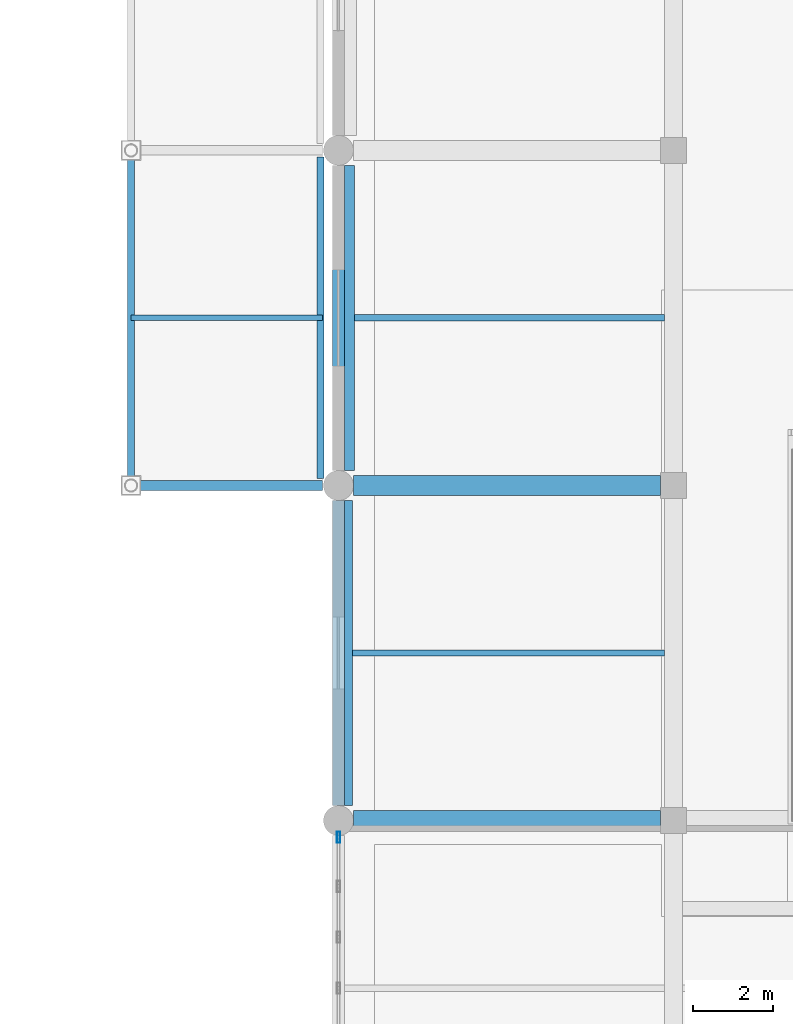
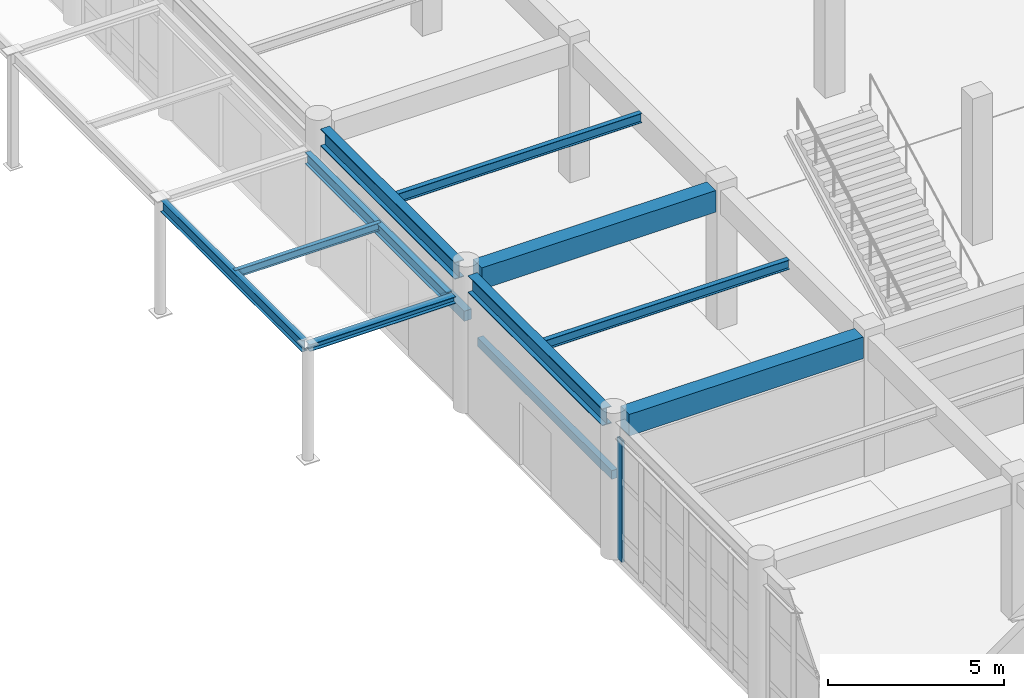
# One storey, part 20 of 80: 10 beams, 3 members, 1 element without a shape of its own.
"""IFC4 building model written with IfcOpenShell, lengths in metres."""

from ifc_helpers import new_model, si_unit, direction, frame, origin, origin_2d, place, context, subcontext, project, spatial, rectangle, hollow_rectangle, i_section, extrude, material, layer, layer_set, material_profile, profile_set, type_object, element, aggregate, save


model = new_model("IFC4")

# Units and contexts
model_context = context("Model", 3, precision=1e-05, world=origin(), true_north=direction((0.0, 1.0)))
body_context = subcontext(model_context, "Body", "Model", "MODEL_VIEW")
ifc_project = project(units=[si_unit("LENGTHUNIT", "METRE"), si_unit("AREAUNIT", "SQUARE_METRE"), si_unit("VOLUMEUNIT", "CUBIC_METRE"), si_unit("PLANEANGLEUNIT", "RADIAN"), si_unit("MASSUNIT", "GRAM", prefix="KILO")], contexts=[model_context])

# Site, building, storey
site_placement = place(None, origin())
site = spatial("IfcSite", under=ifc_project, at=site_placement, CompositionType="ELEMENT")
building_placement = place(site_placement, origin())
building = spatial("IfcBuilding", under=site, at=building_placement, Name="Krzemoval Escarpment Law Courts", CompositionType="ELEMENT")
storey_placement = place(building_placement, origin())
storey = spatial("IfcBuildingStorey", under=building, at=storey_placement, Name="L00", CompositionType="ELEMENT", Elevation=0.0)

# Beams
ifc_material_1 = material(Name="Concrete C40/50", Category="concrete")
ifc_material_profile_1 = material_profile(ifc_material_1, rectangle(XDim=0.5, YDim=0.75, at=origin_2d()), Name="RCB 500x750")
ifc_profile_set_1 = profile_set([ifc_material_profile_1], Name="Concrete C40/50")
beam_type_1 = type_object("IfcBeamType", Name="BM-RC-500x750", PredefinedType="BEAM", material=ifc_profile_set_1)
for number, where, z_axis, x_axis, name in (
    (1, (8.77490234375, 49.199951171875, 4.445068359375), (1.0, 0.0, 0.0), (0.0, 1.0, 0.0), "Beam FG-L00-0687"),
    (2, (8.77490234375, 57.60009765625, 4.445068359375), (1.0, 0.0, 0.0), (0.0, 1.0, 0.0), "Beam FG-L00-0697"),
):
    element("IfcBeam", number, at=place(storey_placement, frame(where, z_axis=z_axis, x_axis=x_axis)), inside=storey, type_object=beam_type_1, Name=name, PredefinedType="BEAM", context=body_context, shape_type="SweptSolid", body=[
        extrude(rectangle(XDim=0.5, YDim=0.75, at=origin_2d()), origin(), (0.0, 0.0, 1.0), 7.7001953125),
    ])
ifc_material_2 = material(Name="Steel S355", Category="steel")
ifc_material_profile_2 = material_profile(ifc_material_2, i_section(OverallWidth=0.179931640625, OverallDepth=0.39990234375, WebThickness=0.008544921875, FlangeThickness=0.013427734375, at=origin_2d()), Name="IPE 400")
ifc_profile_set_2 = profile_set([ifc_material_profile_2], Name="Steel S355")
beam_type_2 = type_object("IfcBeamType", Name="BM-S355-IPE400", PredefinedType="BEAM", material=ifc_profile_set_2)
for number, where, z_axis, x_axis, name in (
    (3, (3.199951171875, 57.77001953125, 3.820068359375), (0.0, 1.0, 0.0), (-1.0, 0.0, 0.0), "Canopy Edge Beam CB-2846"),
    (4, (7.949951171875, 57.77001953125, 3.820068359375), (0.0, 1.0, 0.0), (-1.0, 0.0, 0.0), "Canopy Ledger Beam CB-2847"),
):
    element("IfcBeam", number, at=place(storey_placement, frame(where, z_axis=z_axis, x_axis=x_axis)), inside=storey, type_object=beam_type_2, Name=name, PredefinedType="BEAM", context=body_context, shape_type="SweptSolid", body=[
        extrude(i_section(OverallWidth=0.179931640625, OverallDepth=0.39990234375, WebThickness=0.008544921875, FlangeThickness=0.013427734375, at=origin_2d()), origin(), (0.0, 0.0, 1.0), 8.06005859375),
    ])

# Curtain wall, member
ifc_material_3 = material(Name="Aluminium 6063-T6", Category="aluminium")
ifc_layer = layer(ifc_material_3, 0.280029296875)
ifc_layer_set = layer_set([ifc_layer], Name="Aluminium 6063-T6")
curtain_wall_type = type_object("IfcCurtainWallType", Name="CW-HALL-5100", PredefinedType="USERDEFINED", material=ifc_layer_set)
curtain_wall_placement = place(storey_placement, origin())
curtain_wall = element("IfcCurtainWall", 5, at=curtain_wall_placement, inside=storey, type_object=curtain_wall_type, Name="Unitised Curtain Wall FCW-L00-002", ObjectType="UNITISED_CURTAIN_WALL", PredefinedType="USERDEFINED")
ifc_material_4 = material(Name="Aluminium 6063-T6", Category="aluminium")
ifc_material_profile_3 = material_profile(ifc_material_4, hollow_rectangle(XDim=0.0849609375, YDim=0.280029296875, WallThickness=0.005615234375, at=origin_2d()), Name="ALU M85x280")
ifc_profile_set_3 = profile_set([ifc_material_profile_3], Name="Aluminium 6063-T6")
member_type_1 = type_object("IfcMemberType", Name="CWM-85x280", PredefinedType="MULLION", material=ifc_profile_set_3)
member_1_placement = place(storey_placement, frame((8.39990234375, 48.782470703125, 0.0), z_axis=(0.0, 0.0, 1.0), x_axis=(-1.0, 0.0, 0.0)))
member_1 = element("IfcMember", 6, at=member_1_placement, type_object=member_type_1, Name="FCW-L00-002 mullion 7", PredefinedType="MULLION", context=body_context, shape_type="SweptSolid", body=[
    extrude(hollow_rectangle(XDim=0.0849609375, YDim=0.280029296875, WallThickness=0.005615234375, at=origin_2d()), origin(), (0.0, 0.0, 1.0), 4.219970703125),
])
aggregate(curtain_wall, [member_1])

# Beams
ifc_material_5 = material(Name="Steel S355", Category="steel")
ifc_material_profile_4 = material_profile(ifc_material_5, i_section(OverallWidth=0.159912109375, OverallDepth=0.330078125, WebThickness=0.007568359375, FlangeThickness=0.011474609375, at=origin_2d()), Name="IPE 330")
ifc_profile_set_4 = profile_set([ifc_material_profile_4], Name="Steel S355")
beam_type_3 = type_object("IfcBeamType", Name="JST-S355-IPE330", PredefinedType="JOIST", material=ifc_profile_set_4)
for number, where, z_axis, x_axis, name in (
    (7, (8.550048828125, 53.39990234375, 4.655029296875), (1.0, 0.0, 0.0), (0.0, 1.0, 0.0), "Secondary Joist FJ-L00-1048"),
    (8, (8.550048828125, 61.800048828125, 4.655029296875), (1.0, 0.0, 0.0), (0.0, 1.0, 0.0), "Secondary Joist FJ-L00-1049"),
):
    element("IfcBeam", number, at=place(storey_placement, frame(where, z_axis=z_axis, x_axis=x_axis)), inside=storey, type_object=beam_type_3, Name=name, PredefinedType="JOIST", context=body_context, shape_type="SweptSolid", body=[
        extrude(i_section(OverallWidth=0.159912109375, OverallDepth=0.330078125, WebThickness=0.007568359375, FlangeThickness=0.011474609375, at=origin_2d()), origin(), (0.0, 0.0, 1.0), 8.02490234375),
    ])
ifc_material_6 = material(Name="Concrete C40/50", Category="concrete")
ifc_material_profile_5 = material_profile(ifc_material_6, rectangle(XDim=0.199951171875, YDim=0.300048828125, at=origin_2d()), Name="LIN 200x300")
ifc_profile_set_5 = profile_set([ifc_material_profile_5], Name="Concrete C40/50")
beam_type_4 = type_object("IfcBeamType", Name="LIN-RC-200x300", PredefinedType="LINTEL", material=ifc_profile_set_5)
beam_1_placement = place(storey_placement, frame((8.655029296875, 49.574951171875, 2.409912109375), z_axis=(0.0, 1.0, 0.0), x_axis=(-1.0, 0.0, 0.0)))
element("IfcBeam", 9, at=beam_1_placement, inside=storey, type_object=beam_type_4, Name="Opening Lintel FLN-001", PredefinedType="LINTEL", context=body_context, shape_type="SweptSolid", body=[
    extrude(rectangle(XDim=0.199951171875, YDim=0.300048828125, at=origin_2d()), origin(), (0.0, 0.0, 1.0), 7.650146484375),
])
ifc_material_7 = material(Name="Concrete C40/50", Category="concrete")
ifc_material_profile_6 = material_profile(ifc_material_7, rectangle(XDim=0.25, YDim=0.35009765625, at=origin_2d()), Name="LIN 250x350")
ifc_profile_set_6 = profile_set([ifc_material_profile_6], Name="Concrete C40/50")
beam_type_5 = type_object("IfcBeamType", Name="LIN-RC-250x350", PredefinedType="LINTEL", material=ifc_profile_set_6)
beam_2_placement = place(storey_placement, frame((8.679931640625, 57.97509765625, 2.8349609375), z_axis=(0.0, 1.0, 0.0), x_axis=(-1.0, 0.0, 0.0)))
element("IfcBeam", 10, at=beam_2_placement, inside=storey, type_object=beam_type_5, Name="Opening Lintel FLN-002", PredefinedType="LINTEL", context=body_context, shape_type="SweptSolid", body=[
    extrude(rectangle(XDim=0.25, YDim=0.35009765625, at=origin_2d()), origin(), (0.0, 0.0, 1.0), 7.64990234375),
])

# Members
ifc_material_8 = material(Name="Steel S355", Category="steel")
ifc_material_profile_7 = material_profile(ifc_material_8, i_section(OverallWidth=0.239990234375, OverallDepth=0.239990234375, WebThickness=0.010009765625, FlangeThickness=0.01708984375, at=origin_2d()), Name="HEB 240")
ifc_profile_set_7 = profile_set([ifc_material_profile_7], Name="Steel S355")
member_type_2 = type_object("IfcMemberType", Name="MBR-RAF-HEB240", PredefinedType="RAFTER", material=ifc_profile_set_7)
member_2_placement = place(storey_placement, frame((3.199951171875, 57.60009765625, 3.89990234375), z_axis=(1.0, 0.0, 0.0), x_axis=(0.0, 1.0, 0.0)))
element("IfcMember", 11, at=member_2_placement, inside=storey, type_object=member_type_2, Name="Canopy Rafter RAF-0227", PredefinedType="RAFTER", context=body_context, shape_type="SweptSolid", body=[
    extrude(i_section(OverallWidth=0.239990234375, OverallDepth=0.239990234375, WebThickness=0.010009765625, FlangeThickness=0.01708984375, at=origin_2d()), origin(), (0.0, 0.0, 1.0), 4.800048828125),
])
ifc_material_9 = material(Name="Steel S355", Category="steel")
ifc_material_profile_8 = material_profile(ifc_material_9, i_section(OverallWidth=0.135009765625, OverallDepth=0.27001953125, WebThickness=0.006591796875, FlangeThickness=0.01025390625, at=origin_2d()), Name="IPE 270")
ifc_profile_set_8 = profile_set([ifc_material_profile_8], Name="Steel S355")
member_type_3 = type_object("IfcMemberType", Name="MBR-RAF-IPE270", PredefinedType="RAFTER", material=ifc_profile_set_8)
member_3_placement = place(storey_placement, frame((3.199951171875, 61.800048828125, 3.885009765625), z_axis=(1.0, 0.0, 0.0), x_axis=(0.0, 1.0, 0.0)))
element("IfcMember", 12, at=member_3_placement, inside=storey, type_object=member_type_3, Name="Canopy Rafter RAF-0228", PredefinedType="RAFTER", context=body_context, shape_type="SweptSolid", body=[
    extrude(i_section(OverallWidth=0.135009765625, OverallDepth=0.27001953125, WebThickness=0.006591796875, FlangeThickness=0.01025390625, at=origin_2d()), origin(), (0.0, 0.0, 1.0), 4.800048828125),
])

# Beams
ifc_material_10 = material(Name="Steel S355", Category="steel")
ifc_material_profile_9 = material_profile(ifc_material_10, i_section(OverallWidth=0.300048828125, OverallDepth=0.60009765625, WebThickness=0.015380859375, FlangeThickness=0.030029296875, at=origin_2d()), Name="HEB 600")
ifc_profile_set_9 = profile_set([ifc_material_profile_9], Name="Steel S355")
beam_type_6 = type_object("IfcBeamType", Name="SPN-S355-HEB600", PredefinedType="SPANDREL", material=ifc_profile_set_9)
beam_3_placement = place(storey_placement, frame((8.39990234375, 49.574951171875, 4.52001953125), z_axis=(0.0, 1.0, 0.0), x_axis=(-1.0, 0.0, 0.0)))
element("IfcBeam", 13, at=beam_3_placement, inside=storey, type_object=beam_type_6, Name="Beam FG-L00-0826", PredefinedType="SPANDREL", context=body_context, shape_type="SweptSolid", body=[
    extrude(i_section(OverallWidth=0.300048828125, OverallDepth=0.60009765625, WebThickness=0.015380859375, FlangeThickness=0.030029296875, at=origin_2d()), origin(), (0.0, 0.0, 1.0), 7.650146484375),
])
beam_4_placement = place(storey_placement, frame((8.39990234375, 57.97509765625, 4.52001953125), z_axis=(0.0, 1.0, 0.0), x_axis=(-1.0, 0.0, 0.0)))
element("IfcBeam", 14, at=beam_4_placement, inside=storey, type_object=beam_type_6, Name="Beam FG-L00-0827", PredefinedType="SPANDREL", context=body_context, shape_type="SweptSolid", body=[
    extrude(i_section(OverallWidth=0.300048828125, OverallDepth=0.60009765625, WebThickness=0.015380859375, FlangeThickness=0.030029296875, at=origin_2d()), origin(), (0.0, 0.0, 1.0), 7.64990234375),
])

save(model, "model.ifc")
